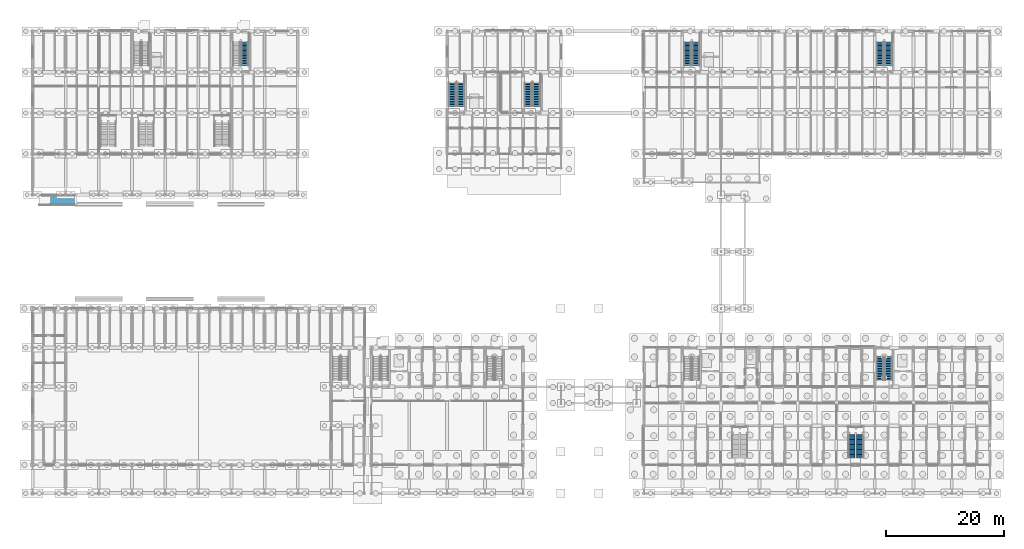
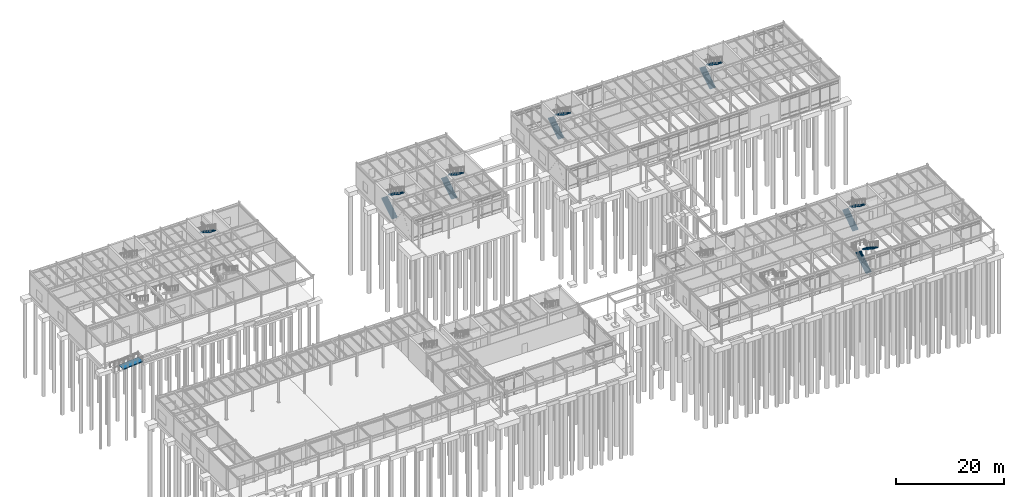
# One storey, part 77 of 82: 13 stair flights, 1 ramp flight, 8 elements without a shape of their own.
"""IFC4 building model written with IfcOpenShell, lengths in metres."""

import ifcopenshell
import ifcopenshell.guid

model = None  # the IFC model being written
_history = None  # IfcOwnerHistory: only IFC2X3 demands one
_inside = {}  # id of a spatial element -> (the spatial element, [elements in it])
_under = {}  # id of a project, library or spatial element -> (it, [spatial elements below it])
_declared = {}  # id of a project -> (the project, [libraries it declares])
_typed = {}  # id of a type object -> (the type object, [elements of that type])
_made_of = {}  # id of a material, layer set ... -> (it, [elements and type objects made of it])


def new_model(schema):
    """Start an empty IFC model of exactly this schema.

    Asked for "IFC4X3", IfcOpenShell would pick the latest addendum, in which some entities
    have other attributes; the version numbers below select the first issue.
    IFC2X3 requires an IfcOwnerHistory on every rooted entity: one is made here for all.
    """
    global model, _history
    if schema == "IFC4X3":
        model = ifcopenshell.file(schema_version=(4, 3, 0, 0))
    else:
        model = ifcopenshell.file(schema=schema)
    _inside.clear()
    _under.clear()
    _declared.clear()
    _typed.clear()
    _made_of.clear()
    _history = None
    if model.schema == "IFC2X3":
        org = make("IfcOrganization", Name="unknown")
        user = make(
            "IfcPersonAndOrganization",
            ThePerson=make("IfcPerson", FamilyName="unknown"),
            TheOrganization=org,
        )
        app = make(
            "IfcApplication",
            ApplicationDeveloper=org,
            Version="unknown",
            ApplicationFullName="unknown",
            ApplicationIdentifier="unknown",
        )
        _history = make(
            "IfcOwnerHistory",
            OwningUser=user,
            OwningApplication=app,
            ChangeAction="ADDED",
            CreationDate=0,
        )
    return model


def make(cls, **values):
    """One entity of the class cls with the attributes given. An attribute that is None is left unset."""
    return model.create_entity(
        cls, **{name: value for name, value in values.items() if value is not None}
    )


def rooted(cls, **values):
    """An entity with a GlobalId (a new one), such as an element, a storey or a relation."""
    return make(cls, GlobalId=ifcopenshell.guid.new(), OwnerHistory=_history, **values)


def si_unit(unit_type, name, prefix=None):
    """IfcSIUnit, for example si_unit("LENGTHUNIT", "METRE", prefix="MILLI")."""
    return make("IfcSIUnit", UnitType=unit_type, Prefix=prefix, Name=name)


def assignment(units):
    """IfcUnitAssignment: the units of a project."""
    return None if units is None else make("IfcUnitAssignment", Units=units)


def point(xyz):
    """IfcCartesianPoint."""
    return None if xyz is None else make("IfcCartesianPoint", Coordinates=xyz)


def direction(xyz):
    """IfcDirection."""
    return None if xyz is None else make("IfcDirection", DirectionRatios=xyz)


def frame(location, z_axis=None, x_axis=None):
    """IfcAxis2Placement3D, a coordinate frame: its origin and axes. An axis left out is left unset."""
    return make(
        "IfcAxis2Placement3D",
        Location=point(location),
        Axis=direction(z_axis),
        RefDirection=direction(x_axis),
    )


def origin():
    """The frame at (0, 0, 0) with its axes left unset."""
    return frame((0.0, 0.0, 0.0))


def place(relative_to, where):
    """IfcLocalPlacement: puts the frame where relative to a parent placement (None: the world)."""
    return make(
        "IfcLocalPlacement", PlacementRelTo=relative_to, RelativePlacement=where
    )


def context(
    kind, dimensions, precision=None, world=None, true_north=None, identifier=None
):
    """IfcGeometricRepresentationContext, for example the 3D "Model" context."""
    return make(
        "IfcGeometricRepresentationContext",
        ContextIdentifier=identifier,
        ContextType=kind,
        CoordinateSpaceDimension=dimensions,
        Precision=precision,
        WorldCoordinateSystem=world,
        TrueNorth=true_north,
    )


def subcontext(parent, identifier, kind, view, scale=None):
    """IfcGeometricRepresentationSubContext, for example "Body" below "Model"."""
    return make(
        "IfcGeometricRepresentationSubContext",
        ContextIdentifier=identifier,
        ContextType=kind,
        ParentContext=parent,
        TargetScale=scale,
        TargetView=view,
    )


def project(units=None, contexts=None):
    """IfcProject with its units and contexts."""
    return rooted(
        "IfcProject",
        Name="project",
        RepresentationContexts=contexts,
        UnitsInContext=assignment(units),
    )


def spatial(cls, under=None, at=None, **own):
    """A site, building, storey or space (cls), placed at a placement, below another one or the project."""
    s = rooted(cls, ObjectPlacement=at, **own)
    if under is not None:
        _under.setdefault(under.id(), (under, []))[1].append(s)
    return s


def polyline(points):
    """IfcPolyline through the points."""
    return make("IfcPolyline", Points=[point(p) for p in points])


def outline(outer, holes=None, kind="AREA"):
    """IfcArbitraryClosedProfileDef: a profile drawn as a closed curve; with holes, ...WithVoids."""
    if holes is None:
        return make("IfcArbitraryClosedProfileDef", ProfileType=kind, OuterCurve=outer)
    return make(
        "IfcArbitraryProfileDefWithVoids",
        ProfileType=kind,
        OuterCurve=outer,
        InnerCurves=holes,
    )


def extrude(swept, where, along, depth):
    """IfcExtrudedAreaSolid: the profile swept, set in the frame where, extruded along a direction by depth."""
    return make(
        "IfcExtrudedAreaSolid",
        SweptArea=swept,
        Position=where,
        ExtrudedDirection=direction(along),
        Depth=depth,
    )


def shape(context_of_items, identifier, shape_type, items):
    """IfcShapeRepresentation: the items that make up one representation, for example the "Body"."""
    return make(
        "IfcShapeRepresentation",
        ContextOfItems=context_of_items,
        RepresentationIdentifier=identifier,
        RepresentationType=shape_type,
        Items=items,
    )


def material(Name=None, Category=None):
    """IfcMaterial."""
    return make("IfcMaterial", Name=Name, Category=Category)


def layer(
    of_material, thickness, ventilated=None, Name=None, Category=None, Priority=None
):
    """IfcMaterialLayer: one layer of a wall or slab, of a material (None: an air gap)."""
    return make(
        "IfcMaterialLayer",
        Material=of_material,
        LayerThickness=thickness,
        IsVentilated=ventilated,
        Name=Name,
        Category=Category,
        Priority=Priority,
    )


def layer_set(layers, Name=None):
    """IfcMaterialLayerSet."""
    return make("IfcMaterialLayerSet", MaterialLayers=layers, LayerSetName=Name)


def made_of(thing, what):
    """Note that an element or type object is made of a material, layer set ...; save() writes the relation."""
    if what is not None:
        _made_of.setdefault(what.id(), (what, []))[1].append(thing)
    return thing


def type_object(cls, material=None, **own):
    """A type object (cls), such as IfcWallType, which elements share."""
    return made_of(rooted(cls, **own), material)


def element(
    cls,
    number,
    at=None,
    inside=None,
    cuts=None,
    type_object=None,
    material=None,
    context=None,
    identifier="Body",
    shape_type=None,
    held_by="IfcProductDefinitionShape",
    body=None,
    shapes=None,
    **own,
):
    """One element of the class cls, such as IfcWall. Its Tag is "e" and its number.

    at: its placement. inside: the storey or other place that contains it. cuts: it is an
    opening in that element (IfcRelVoidsElement). A single representation is given by context,
    identifier, shape_type and body (its items); several are given by shapes. held_by: the class
    of the entity that holds the representations. save() writes the other relations.
    """
    e = rooted(cls, Tag="e%d" % number, ObjectPlacement=at, **own)
    if body is not None:
        shapes = [shape(context, identifier, shape_type, body)]
    if shapes is not None:
        e.Representation = make(held_by, Representations=shapes)
    if inside is not None:
        _inside.setdefault(inside.id(), (inside, []))[1].append(e)
    if cuts is not None:
        rooted(
            "IfcRelVoidsElement", RelatingBuildingElement=cuts, RelatedOpeningElement=e
        )
    if type_object is not None:
        _typed.setdefault(type_object.id(), (type_object, []))[1].append(e)
    return made_of(e, material)


def aggregate(whole, parts):
    """IfcRelAggregates: a whole, such as a stair, and the parts it consists of."""
    return rooted("IfcRelAggregates", RelatingObject=whole, RelatedObjects=parts)


def save(model, path):
    """Write the relations noted so far, then the file.

    IfcRelAggregates (storeys below a building ...), IfcRelContainedInSpatialStructure (elements
    in a storey), IfcRelDefinesByType, IfcRelAssociatesMaterial and IfcRelDeclares: one each for
    every whole, place, type object, material and project.
    """
    for whole, parts in _under.values():
        aggregate(whole, parts)
    for where, things in _inside.values():
        rooted(
            "IfcRelContainedInSpatialStructure",
            RelatedElements=things,
            RelatingStructure=where,
        )
    for kind, things in _typed.values():
        rooted("IfcRelDefinesByType", RelatedObjects=things, RelatingType=kind)
    for what, things in _made_of.values():
        rooted("IfcRelAssociatesMaterial", RelatedObjects=things, RelatingMaterial=what)
    for by, libraries in _declared.values():
        rooted("IfcRelDeclares", RelatingContext=by, RelatedDefinitions=libraries)
    model.write(path)


model = new_model("IFC4")

# Units and contexts
model_context = context("Model", 3, precision=1e-05, world=origin(), true_north=direction((0.0, 1.0)))
body_context = subcontext(model_context, "Body", "Model", "MODEL_VIEW")
ifc_project = project(units=[si_unit("LENGTHUNIT", "METRE"), si_unit("AREAUNIT", "SQUARE_METRE"), si_unit("VOLUMEUNIT", "CUBIC_METRE"), si_unit("PLANEANGLEUNIT", "RADIAN"), si_unit("MASSUNIT", "GRAM", prefix="KILO")], contexts=[model_context])

# Site, building, storey
site_placement = place(None, origin())
site = spatial("IfcSite", under=ifc_project, at=site_placement, CompositionType="ELEMENT")
building_placement = place(site_placement, origin())
building = spatial("IfcBuilding", under=site, at=building_placement, Name="Trelmorton Wharf Fire Station", CompositionType="ELEMENT")
storey_placement = place(building_placement, origin())
storey = spatial("IfcBuildingStorey", under=building, at=storey_placement, Name="L00", CompositionType="ELEMENT", Elevation=0.0)

# Stair, stair flight
ifc_material_1 = material(Name="Precast concrete 45 MPa", Category="concrete")
stair_type = type_object("IfcStairType", Name="ST_DOG_540", PredefinedType="HALF_TURN_STAIR", material=ifc_material_1)
stair_1_placement = place(storey_placement, origin())
stair_1 = element("IfcStair", 1, at=stair_1_placement, inside=storey, type_object=stair_type, Name="Escape Stair ST7-L00", PredefinedType="HALF_TURN_STAIR")
ifc_layer_1 = layer(ifc_material_1, 0.139892578125)
ifc_layer_set_1 = layer_set([ifc_layer_1], Name="Precast concrete 45 MPa")
stair_flight_type_1 = type_object("IfcStairFlightType", Name="SF_PRE_120", PredefinedType="STRAIGHT", material=ifc_layer_set_1)
stair_flight_1_placement = place(storey_placement, frame((36.659912109375, 79.159912109375, 2.699951171875), z_axis=(0.0, 0.0, 1.0), x_axis=(0.0, -1.0, 0.0)))
stair_flight_1 = element("IfcStairFlight", 2, at=stair_flight_1_placement, type_object=stair_flight_type_1, Name="ST7-L00 flight 2", NumberOfRisers=15, NumberOfTreads=14, PredefinedType="STRAIGHT", RiserHeight=0.18, TreadLength=0.28, context=body_context, shape_type="SweptSolid", body=[
    extrude(outline(polyline([(0.0, 0.0), (0.0, 0.179931640625), (0.280029296875, 0.179931640625), (0.280029296875, 0.360107421875), (0.56005859375, 0.360107421875), (0.56005859375, 0.5400390625), (0.840087890625, 0.5400390625), (0.840087890625, 0.719970703125), (1.1201171875, 0.719970703125), (1.1201171875, 0.89990234375), (1.39990234375, 0.89990234375), (1.39990234375, 1.080078125), (1.679931640625, 1.080078125), (1.679931640625, 1.260009765625), (1.9599609375, 1.260009765625), (1.9599609375, 1.43994140625), (2.239990234375, 1.43994140625), (2.239990234375, 1.6201171875), (2.52001953125, 1.6201171875), (2.52001953125, 1.800048828125), (2.800048828125, 1.800048828125), (2.800048828125, 1.97998046875), (3.080078125, 1.97998046875), (3.080078125, 2.159912109375), (3.360107421875, 2.159912109375), (3.360107421875, 2.340087890625), (3.639892578125, 2.340087890625), (3.639892578125, 2.52001953125), (3.919921875, 2.52001953125), (3.919921875, 2.699951171875), (3.919921875, 2.329833984375), (0.295654296875, 0.0), (0.0, 0.0)])), frame((0.0, 0.60009765625, 0.0), z_axis=(0.0, -1.0, 0.0), x_axis=(1.0, 0.0, 0.0)), (0.0, 0.0, 1.0), 1.199951171875),
])
aggregate(stair_1, [stair_flight_1])

# Stair, stair flights
stair_2_placement = place(storey_placement, origin())
stair_2 = element("IfcStair", 3, at=stair_2_placement, inside=storey, type_object=stair_type, Name="Feature Access Stair STS-05", PredefinedType="HALF_TURN_STAIR")
stair_flight_2_placement = place(storey_placement, frame((139.080078125, 9.0, 0.0), z_axis=(0.0, 0.0, 1.0), x_axis=(0.0, 1.0, 0.0)))
stair_flight_2 = element("IfcStairFlight", 4, at=stair_flight_2_placement, type_object=stair_flight_type_1, Name="STS-05 flight 1", NumberOfRisers=15, NumberOfTreads=14, PredefinedType="STRAIGHT", RiserHeight=0.18, TreadLength=0.28, context=body_context, shape_type="SweptSolid", body=[
    extrude(outline(polyline([(0.0, 0.0), (0.0, 0.179931640625), (0.280029296875, 0.179931640625), (0.280029296875, 0.360107421875), (0.56005859375, 0.360107421875), (0.56005859375, 0.5400390625), (0.840087890625, 0.5400390625), (0.840087890625, 0.719970703125), (1.1201171875, 0.719970703125), (1.1201171875, 0.89990234375), (1.39990234375, 0.89990234375), (1.39990234375, 1.080078125), (1.679931640625, 1.080078125), (1.679931640625, 1.260009765625), (1.9599609375, 1.260009765625), (1.9599609375, 1.43994140625), (2.239990234375, 1.43994140625), (2.239990234375, 1.6201171875), (2.52001953125, 1.6201171875), (2.52001953125, 1.800048828125), (2.800048828125, 1.800048828125), (2.800048828125, 1.97998046875), (3.080078125, 1.97998046875), (3.080078125, 2.159912109375), (3.360107421875, 2.159912109375), (3.360107421875, 2.340087890625), (3.639892578125, 2.340087890625), (3.639892578125, 2.52001953125), (3.919921875, 2.52001953125), (3.919921875, 2.699951171875), (3.919921875, 2.329833984375), (0.295654296875, 0.0), (0.0, 0.0)])), frame((0.0, 0.60009765625, 0.0), z_axis=(0.0, -1.0, 0.0), x_axis=(1.0, 0.0, 0.0)), (0.0, 0.0, 1.0), 1.199951171875),
])
stair_flight_3_placement = place(storey_placement, frame((140.52001953125, 12.919921875, 2.699951171875), z_axis=(0.0, 0.0, 1.0), x_axis=(0.0, -1.0, 0.0)))
stair_flight_3 = element("IfcStairFlight", 5, at=stair_flight_3_placement, type_object=stair_flight_type_1, Name="STS-05 flight 2", NumberOfRisers=15, NumberOfTreads=14, PredefinedType="STRAIGHT", RiserHeight=0.18, TreadLength=0.28, context=body_context, shape_type="SweptSolid", body=[
    extrude(outline(polyline([(0.0, 0.0), (0.0, 0.179931640625), (0.280029296875, 0.179931640625), (0.280029296875, 0.360107421875), (0.56005859375, 0.360107421875), (0.56005859375, 0.5400390625), (0.840087890625, 0.5400390625), (0.840087890625, 0.719970703125), (1.1201171875, 0.719970703125), (1.1201171875, 0.89990234375), (1.39990234375, 0.89990234375), (1.39990234375, 1.080078125), (1.679931640625, 1.080078125), (1.679931640625, 1.260009765625), (1.9599609375, 1.260009765625), (1.9599609375, 1.43994140625), (2.239990234375, 1.43994140625), (2.239990234375, 1.6201171875), (2.52001953125, 1.6201171875), (2.52001953125, 1.800048828125), (2.800048828125, 1.800048828125), (2.800048828125, 1.97998046875), (3.080078125, 1.97998046875), (3.080078125, 2.159912109375), (3.360107421875, 2.159912109375), (3.360107421875, 2.340087890625), (3.639892578125, 2.340087890625), (3.639892578125, 2.52001953125), (3.919921875, 2.52001953125), (3.919921875, 2.699951171875), (3.919921875, 2.329833984375), (0.295654296875, 0.0), (0.0, 0.0)])), frame((0.0, 0.60009765625, 0.0), z_axis=(0.0, -1.0, 0.0), x_axis=(1.0, 0.0, 0.0)), (0.0, 0.0, 1.0), 1.199951171875),
])
aggregate(stair_2, [stair_flight_2, stair_flight_3])

stair_3_placement = place(storey_placement, origin())
stair_3 = element("IfcStair", 6, at=stair_3_placement, inside=storey, type_object=stair_type, Name="Escape Stair ST5-L00", PredefinedType="HALF_TURN_STAIR")
ifc_layer_2 = layer(ifc_material_1, 0.159912109375)
ifc_layer_set_2 = layer_set([ifc_layer_2], Name="Precast concrete 45 MPa")
stair_flight_type_2 = type_object("IfcStairFlightType", Name="SF_PRE_124", PredefinedType="STRAIGHT", material=ifc_layer_set_2)
stair_flight_4_placement = place(storey_placement, frame((143.8798828125, 22.139892578125, 0.0), z_axis=(0.0, 0.0, 1.0), x_axis=(0.0, 1.0, 0.0)))
stair_flight_4 = element("IfcStairFlight", 7, at=stair_flight_4_placement, type_object=stair_flight_type_2, Name="ST5-L00 flight 1", NumberOfRisers=15, NumberOfTreads=14, PredefinedType="STRAIGHT", RiserHeight=0.18, TreadLength=0.28, context=body_context, shape_type="SweptSolid", body=[
    extrude(outline(polyline([(0.0, 0.0), (0.0, 0.179931640625), (0.280029296875, 0.179931640625), (0.280029296875, 0.360107421875), (0.56005859375, 0.360107421875), (0.56005859375, 0.5400390625), (0.840087890625, 0.5400390625), (0.840087890625, 0.719970703125), (1.1201171875, 0.719970703125), (1.1201171875, 0.89990234375), (1.39990234375, 0.89990234375), (1.39990234375, 1.080078125), (1.679931640625, 1.080078125), (1.679931640625, 1.260009765625), (1.9599609375, 1.260009765625), (1.9599609375, 1.43994140625), (2.239990234375, 1.43994140625), (2.239990234375, 1.6201171875), (2.52001953125, 1.6201171875), (2.52001953125, 1.800048828125), (2.800048828125, 1.800048828125), (2.800048828125, 1.97998046875), (3.080078125, 1.97998046875), (3.080078125, 2.159912109375), (3.360107421875, 2.159912109375), (3.360107421875, 2.340087890625), (3.639892578125, 2.340087890625), (3.639892578125, 2.52001953125), (3.919921875, 2.52001953125), (3.919921875, 2.699951171875), (3.919921875, 2.329833984375), (0.295654296875, 0.0), (0.0, 0.0)])), frame((0.0, 0.6201171875, 0.0), z_axis=(0.0, -1.0, 0.0), x_axis=(1.0, 0.0, 0.0)), (0.0, 0.0, 1.0), 1.239990234375),
])
stair_flight_5_placement = place(storey_placement, frame((145.320068359375, 26.06005859375, 2.699951171875), z_axis=(0.0, 0.0, 1.0), x_axis=(0.0, -1.0, 0.0)))
stair_flight_5 = element("IfcStairFlight", 8, at=stair_flight_5_placement, type_object=stair_flight_type_2, Name="ST5-L00 flight 2", NumberOfRisers=15, NumberOfTreads=14, PredefinedType="STRAIGHT", RiserHeight=0.18, TreadLength=0.28, context=body_context, shape_type="SweptSolid", body=[
    extrude(outline(polyline([(0.0, 0.0), (0.0, 0.179931640625), (0.280029296875, 0.179931640625), (0.280029296875, 0.360107421875), (0.56005859375, 0.360107421875), (0.56005859375, 0.5400390625), (0.840087890625, 0.5400390625), (0.840087890625, 0.719970703125), (1.1201171875, 0.719970703125), (1.1201171875, 0.89990234375), (1.39990234375, 0.89990234375), (1.39990234375, 1.080078125), (1.679931640625, 1.080078125), (1.679931640625, 1.260009765625), (1.9599609375, 1.260009765625), (1.9599609375, 1.43994140625), (2.239990234375, 1.43994140625), (2.239990234375, 1.6201171875), (2.52001953125, 1.6201171875), (2.52001953125, 1.800048828125), (2.800048828125, 1.800048828125), (2.800048828125, 1.97998046875), (3.080078125, 1.97998046875), (3.080078125, 2.159912109375), (3.360107421875, 2.159912109375), (3.360107421875, 2.340087890625), (3.639892578125, 2.340087890625), (3.639892578125, 2.52001953125), (3.919921875, 2.52001953125), (3.919921875, 2.699951171875), (3.919921875, 2.329833984375), (0.295654296875, 0.0), (0.0, 0.0)])), frame((0.0, 0.6201171875, 0.0), z_axis=(0.0, -1.0, 0.0), x_axis=(1.0, 0.0, 0.0)), (0.0, 0.0, 1.0), 1.239990234375),
])
aggregate(stair_3, [stair_flight_4, stair_flight_5])

stair_4_placement = place(storey_placement, origin())
stair_4 = element("IfcStair", 9, at=stair_4_placement, inside=storey, type_object=stair_type, Name="Escape Stair ST8-L00", PredefinedType="HALF_TURN_STAIR")
stair_flight_6_placement = place(storey_placement, frame((71.679931640625, 68.340087890625, 0.0), z_axis=(0.0, 0.0, 1.0), x_axis=(0.0, 1.0, 0.0)))
stair_flight_6 = element("IfcStairFlight", 10, at=stair_flight_6_placement, type_object=stair_flight_type_2, Name="ST8-L00 flight 1", NumberOfRisers=15, NumberOfTreads=14, PredefinedType="STRAIGHT", RiserHeight=0.18, TreadLength=0.28, context=body_context, shape_type="SweptSolid", body=[
    extrude(outline(polyline([(0.0, 0.0), (0.0, 0.179931640625), (0.280029296875, 0.179931640625), (0.280029296875, 0.360107421875), (0.56005859375, 0.360107421875), (0.56005859375, 0.5400390625), (0.840087890625, 0.5400390625), (0.840087890625, 0.719970703125), (1.1201171875, 0.719970703125), (1.1201171875, 0.89990234375), (1.39990234375, 0.89990234375), (1.39990234375, 1.080078125), (1.679931640625, 1.080078125), (1.679931640625, 1.260009765625), (1.9599609375, 1.260009765625), (1.9599609375, 1.43994140625), (2.239990234375, 1.43994140625), (2.239990234375, 1.6201171875), (2.52001953125, 1.6201171875), (2.52001953125, 1.800048828125), (2.800048828125, 1.800048828125), (2.800048828125, 1.97998046875), (3.080078125, 1.97998046875), (3.080078125, 2.159912109375), (3.360107421875, 2.159912109375), (3.360107421875, 2.340087890625), (3.639892578125, 2.340087890625), (3.639892578125, 2.52001953125), (3.919921875, 2.52001953125), (3.919921875, 2.699951171875), (3.919921875, 2.329833984375), (0.295654296875, 0.0), (0.0, 0.0)])), frame((0.0, 0.6201171875, 0.0), z_axis=(0.0, -1.0, 0.0), x_axis=(1.0, 0.0, 0.0)), (0.0, 0.0, 1.0), 1.239990234375),
])
stair_flight_7_placement = place(storey_placement, frame((73.1201171875, 72.260009765625, 2.699951171875), z_axis=(0.0, 0.0, 1.0), x_axis=(0.0, -1.0, 0.0)))
stair_flight_7 = element("IfcStairFlight", 11, at=stair_flight_7_placement, type_object=stair_flight_type_2, Name="ST8-L00 flight 2", NumberOfRisers=15, NumberOfTreads=14, PredefinedType="STRAIGHT", RiserHeight=0.18, TreadLength=0.28, context=body_context, shape_type="SweptSolid", body=[
    extrude(outline(polyline([(0.0, 0.0), (0.0, 0.179931640625), (0.280029296875, 0.179931640625), (0.280029296875, 0.360107421875), (0.56005859375, 0.360107421875), (0.56005859375, 0.5400390625), (0.840087890625, 0.5400390625), (0.840087890625, 0.719970703125), (1.1201171875, 0.719970703125), (1.1201171875, 0.89990234375), (1.39990234375, 0.89990234375), (1.39990234375, 1.080078125), (1.679931640625, 1.080078125), (1.679931640625, 1.260009765625), (1.9599609375, 1.260009765625), (1.9599609375, 1.43994140625), (2.239990234375, 1.43994140625), (2.239990234375, 1.6201171875), (2.52001953125, 1.6201171875), (2.52001953125, 1.800048828125), (2.800048828125, 1.800048828125), (2.800048828125, 1.97998046875), (3.080078125, 1.97998046875), (3.080078125, 2.159912109375), (3.360107421875, 2.159912109375), (3.360107421875, 2.340087890625), (3.639892578125, 2.340087890625), (3.639892578125, 2.52001953125), (3.919921875, 2.52001953125), (3.919921875, 2.699951171875), (3.919921875, 2.329833984375), (0.295654296875, 0.0), (0.0, 0.0)])), frame((0.0, 0.6201171875, 0.0), z_axis=(0.0, -1.0, 0.0), x_axis=(1.0, 0.0, 0.0)), (0.0, 0.0, 1.0), 1.239990234375),
])
aggregate(stair_4, [stair_flight_6, stair_flight_7])

stair_5_placement = place(storey_placement, origin())
stair_5 = element("IfcStair", 12, at=stair_5_placement, inside=storey, type_object=stair_type, Name="Escape Stair ST9-L00", PredefinedType="HALF_TURN_STAIR")
stair_flight_8_placement = place(storey_placement, frame((84.47998046875, 68.340087890625, 0.0), z_axis=(0.0, 0.0, 1.0), x_axis=(0.0, 1.0, 0.0)))
stair_flight_8 = element("IfcStairFlight", 13, at=stair_flight_8_placement, type_object=stair_flight_type_2, Name="ST9-L00 flight 1", NumberOfRisers=15, NumberOfTreads=14, PredefinedType="STRAIGHT", RiserHeight=0.18, TreadLength=0.28, context=body_context, shape_type="SweptSolid", body=[
    extrude(outline(polyline([(0.0, 0.0), (0.0, 0.179931640625), (0.280029296875, 0.179931640625), (0.280029296875, 0.360107421875), (0.56005859375, 0.360107421875), (0.56005859375, 0.5400390625), (0.840087890625, 0.5400390625), (0.840087890625, 0.719970703125), (1.1201171875, 0.719970703125), (1.1201171875, 0.89990234375), (1.39990234375, 0.89990234375), (1.39990234375, 1.080078125), (1.679931640625, 1.080078125), (1.679931640625, 1.260009765625), (1.9599609375, 1.260009765625), (1.9599609375, 1.43994140625), (2.239990234375, 1.43994140625), (2.239990234375, 1.6201171875), (2.52001953125, 1.6201171875), (2.52001953125, 1.800048828125), (2.800048828125, 1.800048828125), (2.800048828125, 1.97998046875), (3.080078125, 1.97998046875), (3.080078125, 2.159912109375), (3.360107421875, 2.159912109375), (3.360107421875, 2.340087890625), (3.639892578125, 2.340087890625), (3.639892578125, 2.52001953125), (3.919921875, 2.52001953125), (3.919921875, 2.699951171875), (3.919921875, 2.329833984375), (0.295654296875, 0.0), (0.0, 0.0)])), frame((0.0, 0.6201171875, 0.0), z_axis=(0.0, -1.0, 0.0), x_axis=(1.0, 0.0, 0.0)), (0.0, 0.0, 1.0), 1.239990234375),
])
stair_flight_9_placement = place(storey_placement, frame((85.919921875, 72.260009765625, 2.699951171875), z_axis=(0.0, 0.0, 1.0), x_axis=(0.0, -1.0, 0.0)))
stair_flight_9 = element("IfcStairFlight", 14, at=stair_flight_9_placement, type_object=stair_flight_type_2, Name="ST9-L00 flight 2", NumberOfRisers=15, NumberOfTreads=14, PredefinedType="STRAIGHT", RiserHeight=0.18, TreadLength=0.28, context=body_context, shape_type="SweptSolid", body=[
    extrude(outline(polyline([(0.0, 0.0), (0.0, 0.179931640625), (0.280029296875, 0.179931640625), (0.280029296875, 0.360107421875), (0.56005859375, 0.360107421875), (0.56005859375, 0.5400390625), (0.840087890625, 0.5400390625), (0.840087890625, 0.719970703125), (1.1201171875, 0.719970703125), (1.1201171875, 0.89990234375), (1.39990234375, 0.89990234375), (1.39990234375, 1.080078125), (1.679931640625, 1.080078125), (1.679931640625, 1.260009765625), (1.9599609375, 1.260009765625), (1.9599609375, 1.43994140625), (2.239990234375, 1.43994140625), (2.239990234375, 1.6201171875), (2.52001953125, 1.6201171875), (2.52001953125, 1.800048828125), (2.800048828125, 1.800048828125), (2.800048828125, 1.97998046875), (3.080078125, 1.97998046875), (3.080078125, 2.159912109375), (3.360107421875, 2.159912109375), (3.360107421875, 2.340087890625), (3.639892578125, 2.340087890625), (3.639892578125, 2.52001953125), (3.919921875, 2.52001953125), (3.919921875, 2.699951171875), (3.919921875, 2.329833984375), (0.295654296875, 0.0), (0.0, 0.0)])), frame((0.0, 0.6201171875, 0.0), z_axis=(0.0, -1.0, 0.0), x_axis=(1.0, 0.0, 0.0)), (0.0, 0.0, 1.0), 1.239990234375),
])
aggregate(stair_5, [stair_flight_8, stair_flight_9])

stair_6_placement = place(storey_placement, origin())
stair_6 = element("IfcStair", 15, at=stair_6_placement, inside=storey, type_object=stair_type, Name="Escape Stair ST10-L00", PredefinedType="HALF_TURN_STAIR")
stair_flight_10_placement = place(storey_placement, frame((111.3798828125, 75.239990234375, 0.0), z_axis=(0.0, 0.0, 1.0), x_axis=(0.0, 1.0, 0.0)))
stair_flight_10 = element("IfcStairFlight", 16, at=stair_flight_10_placement, type_object=stair_flight_type_2, Name="ST10-L00 flight 1", NumberOfRisers=15, NumberOfTreads=14, PredefinedType="STRAIGHT", RiserHeight=0.18, TreadLength=0.28, context=body_context, shape_type="SweptSolid", body=[
    extrude(outline(polyline([(0.0, 0.0), (0.0, 0.179931640625), (0.280029296875, 0.179931640625), (0.280029296875, 0.360107421875), (0.56005859375, 0.360107421875), (0.56005859375, 0.5400390625), (0.840087890625, 0.5400390625), (0.840087890625, 0.719970703125), (1.1201171875, 0.719970703125), (1.1201171875, 0.89990234375), (1.39990234375, 0.89990234375), (1.39990234375, 1.080078125), (1.679931640625, 1.080078125), (1.679931640625, 1.260009765625), (1.9599609375, 1.260009765625), (1.9599609375, 1.43994140625), (2.239990234375, 1.43994140625), (2.239990234375, 1.6201171875), (2.52001953125, 1.6201171875), (2.52001953125, 1.800048828125), (2.800048828125, 1.800048828125), (2.800048828125, 1.97998046875), (3.080078125, 1.97998046875), (3.080078125, 2.159912109375), (3.360107421875, 2.159912109375), (3.360107421875, 2.340087890625), (3.639892578125, 2.340087890625), (3.639892578125, 2.52001953125), (3.919921875, 2.52001953125), (3.919921875, 2.699951171875), (3.919921875, 2.329833984375), (0.295654296875, 0.0), (0.0, 0.0)])), frame((0.0, 0.6201171875, 0.0), z_axis=(0.0, -1.0, 0.0), x_axis=(1.0, 0.0, 0.0)), (0.0, 0.0, 1.0), 1.239990234375),
])
stair_flight_11_placement = place(storey_placement, frame((112.820068359375, 79.159912109375, 2.699951171875), z_axis=(0.0, 0.0, 1.0), x_axis=(0.0, -1.0, 0.0)))
stair_flight_11 = element("IfcStairFlight", 17, at=stair_flight_11_placement, type_object=stair_flight_type_2, Name="ST10-L00 flight 2", NumberOfRisers=15, NumberOfTreads=14, PredefinedType="STRAIGHT", RiserHeight=0.18, TreadLength=0.28, context=body_context, shape_type="SweptSolid", body=[
    extrude(outline(polyline([(0.0, 0.0), (0.0, 0.179931640625), (0.280029296875, 0.179931640625), (0.280029296875, 0.360107421875), (0.56005859375, 0.360107421875), (0.56005859375, 0.5400390625), (0.840087890625, 0.5400390625), (0.840087890625, 0.719970703125), (1.1201171875, 0.719970703125), (1.1201171875, 0.89990234375), (1.39990234375, 0.89990234375), (1.39990234375, 1.080078125), (1.679931640625, 1.080078125), (1.679931640625, 1.260009765625), (1.9599609375, 1.260009765625), (1.9599609375, 1.43994140625), (2.239990234375, 1.43994140625), (2.239990234375, 1.6201171875), (2.52001953125, 1.6201171875), (2.52001953125, 1.800048828125), (2.800048828125, 1.800048828125), (2.800048828125, 1.97998046875), (3.080078125, 1.97998046875), (3.080078125, 2.159912109375), (3.360107421875, 2.159912109375), (3.360107421875, 2.340087890625), (3.639892578125, 2.340087890625), (3.639892578125, 2.52001953125), (3.919921875, 2.52001953125), (3.919921875, 2.699951171875), (3.919921875, 2.329833984375), (0.295654296875, 0.0), (0.0, 0.0)])), frame((0.0, 0.6201171875, 0.0), z_axis=(0.0, -1.0, 0.0), x_axis=(1.0, 0.0, 0.0)), (0.0, 0.0, 1.0), 1.239990234375),
])
aggregate(stair_6, [stair_flight_10, stair_flight_11])

stair_7_placement = place(storey_placement, origin())
stair_7 = element("IfcStair", 18, at=stair_7_placement, inside=storey, type_object=stair_type, Name="Escape Stair ST11-L00", PredefinedType="HALF_TURN_STAIR")
stair_flight_12_placement = place(storey_placement, frame((143.8798828125, 75.239990234375, 0.0), z_axis=(0.0, 0.0, 1.0), x_axis=(0.0, 1.0, 0.0)))
stair_flight_12 = element("IfcStairFlight", 19, at=stair_flight_12_placement, type_object=stair_flight_type_2, Name="ST11-L00 flight 1", NumberOfRisers=15, NumberOfTreads=14, PredefinedType="STRAIGHT", RiserHeight=0.18, TreadLength=0.28, context=body_context, shape_type="SweptSolid", body=[
    extrude(outline(polyline([(0.0, 0.0), (0.0, 0.179931640625), (0.280029296875, 0.179931640625), (0.280029296875, 0.360107421875), (0.56005859375, 0.360107421875), (0.56005859375, 0.5400390625), (0.840087890625, 0.5400390625), (0.840087890625, 0.719970703125), (1.1201171875, 0.719970703125), (1.1201171875, 0.89990234375), (1.39990234375, 0.89990234375), (1.39990234375, 1.080078125), (1.679931640625, 1.080078125), (1.679931640625, 1.260009765625), (1.9599609375, 1.260009765625), (1.9599609375, 1.43994140625), (2.239990234375, 1.43994140625), (2.239990234375, 1.6201171875), (2.52001953125, 1.6201171875), (2.52001953125, 1.800048828125), (2.800048828125, 1.800048828125), (2.800048828125, 1.97998046875), (3.080078125, 1.97998046875), (3.080078125, 2.159912109375), (3.360107421875, 2.159912109375), (3.360107421875, 2.340087890625), (3.639892578125, 2.340087890625), (3.639892578125, 2.52001953125), (3.919921875, 2.52001953125), (3.919921875, 2.699951171875), (3.919921875, 2.329833984375), (0.295654296875, 0.0), (0.0, 0.0)])), frame((0.0, 0.6201171875, 0.0), z_axis=(0.0, -1.0, 0.0), x_axis=(1.0, 0.0, 0.0)), (0.0, 0.0, 1.0), 1.239990234375),
])
stair_flight_13_placement = place(storey_placement, frame((145.320068359375, 79.159912109375, 2.699951171875), z_axis=(0.0, 0.0, 1.0), x_axis=(0.0, -1.0, 0.0)))
stair_flight_13 = element("IfcStairFlight", 20, at=stair_flight_13_placement, type_object=stair_flight_type_2, Name="ST11-L00 flight 2", NumberOfRisers=15, NumberOfTreads=14, PredefinedType="STRAIGHT", RiserHeight=0.18, TreadLength=0.28, context=body_context, shape_type="SweptSolid", body=[
    extrude(outline(polyline([(0.0, 0.0), (0.0, 0.179931640625), (0.280029296875, 0.179931640625), (0.280029296875, 0.360107421875), (0.56005859375, 0.360107421875), (0.56005859375, 0.5400390625), (0.840087890625, 0.5400390625), (0.840087890625, 0.719970703125), (1.1201171875, 0.719970703125), (1.1201171875, 0.89990234375), (1.39990234375, 0.89990234375), (1.39990234375, 1.080078125), (1.679931640625, 1.080078125), (1.679931640625, 1.260009765625), (1.9599609375, 1.260009765625), (1.9599609375, 1.43994140625), (2.239990234375, 1.43994140625), (2.239990234375, 1.6201171875), (2.52001953125, 1.6201171875), (2.52001953125, 1.800048828125), (2.800048828125, 1.800048828125), (2.800048828125, 1.97998046875), (3.080078125, 1.97998046875), (3.080078125, 2.159912109375), (3.360107421875, 2.159912109375), (3.360107421875, 2.340087890625), (3.639892578125, 2.340087890625), (3.639892578125, 2.52001953125), (3.919921875, 2.52001953125), (3.919921875, 2.699951171875), (3.919921875, 2.329833984375), (0.295654296875, 0.0), (0.0, 0.0)])), frame((0.0, 0.6201171875, 0.0), z_axis=(0.0, -1.0, 0.0), x_axis=(1.0, 0.0, 0.0)), (0.0, 0.0, 1.0), 1.239990234375),
])
aggregate(stair_7, [stair_flight_12, stair_flight_13])

# Ramp, ramp flight
ifc_material_2 = material(Name="Concrete 40 MPa", Category="concrete")
ramp_type = type_object("IfcRampType", Name="RMP_ACC_112", PredefinedType="STRAIGHT_RUN_RAMP", material=ifc_material_2)
ramp_placement = place(storey_placement, origin())
ramp = element("IfcRamp", 21, at=ramp_placement, inside=storey, type_object=ramp_type, Name="Accessible Entry Ramp RMP1", PredefinedType="STRAIGHT_RUN_RAMP")
ifc_layer_3 = layer(ifc_material_2, 0.199951171875)
ifc_layer_set_3 = layer_set([ifc_layer_3], Name="Concrete 40 MPa")
ramp_flight_type = type_object("IfcRampFlightType", Name="RMF_ACC_160", PredefinedType="STRAIGHT", material=ifc_layer_set_3)
ramp_flight_placement = place(storey_placement, frame((3.800048828125, 52.5, -0.35009765625), z_axis=(0.0, 0.0, 1.0), x_axis=(1.0, 0.0, 0.0)))
ramp_flight = element("IfcRampFlight", 22, at=ramp_flight_placement, type_object=ramp_flight_type, Name="Accessible Ramp Flight RMF1", PredefinedType="STRAIGHT", context=body_context, shape_type="SweptSolid", body=[
    extrude(outline(polyline([(0.0, -0.199951171875), (4.199951171875, 0.150146484375), (4.199951171875, 0.35009765625), (0.0, 0.0), (0.0, -0.199951171875)])), frame((0.0, 0.800048828125, 0.0), z_axis=(0.0, -1.0, 0.0), x_axis=(1.0, 0.0, 0.0)), (0.0, 0.0, 1.0), 1.60009765625),
])
aggregate(ramp, [ramp_flight])

save(model, "model.ifc")
